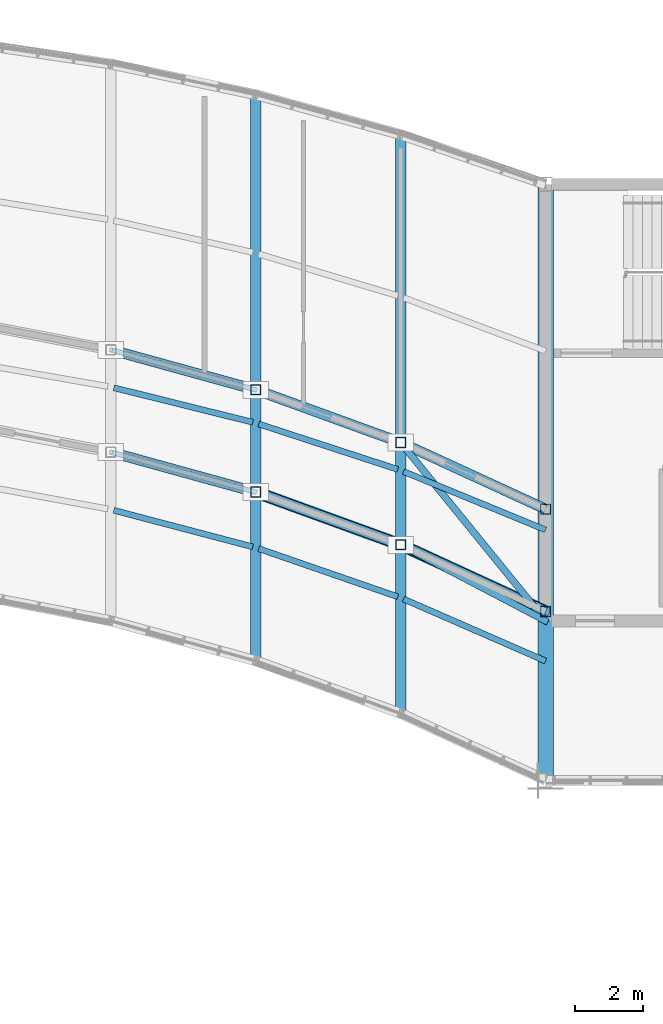
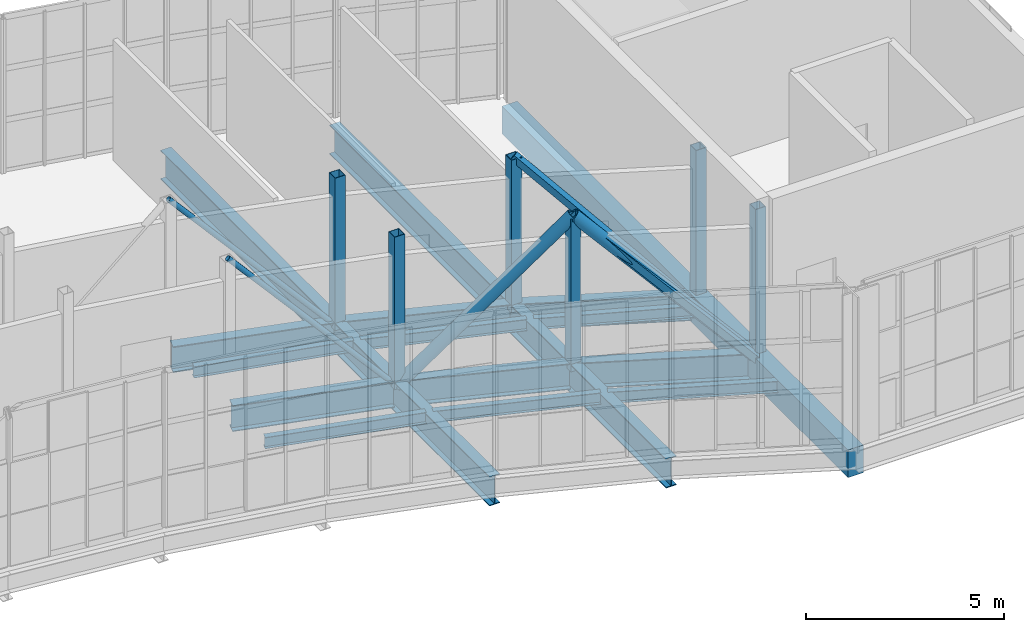
# One storey, part 24 of 46: 15 beams, 12 members.
"""IFC4 building model written with IfcOpenShell, lengths in metres."""

from ifc_helpers import new_model, si_unit, direction, frame, origin, origin_2d, place, context, subcontext, project, spatial, rectangle, hollow_rectangle, hollow_circle, i_section, extrude, material, material_profile, profile_set, type_object, element, save


model = new_model("IFC4")

# Units and contexts
model_context = context("Model", 3, precision=1e-05, world=origin(), true_north=direction((0.0, 1.0)))
body_context = subcontext(model_context, "Body", "Model", "MODEL_VIEW")
ifc_project = project(units=[si_unit("LENGTHUNIT", "METRE"), si_unit("AREAUNIT", "SQUARE_METRE"), si_unit("VOLUMEUNIT", "CUBIC_METRE"), si_unit("PLANEANGLEUNIT", "RADIAN"), si_unit("MASSUNIT", "GRAM", prefix="KILO")], contexts=[model_context])

# Site, building, storey
site_placement = place(None, origin())
site = spatial("IfcSite", under=ifc_project, at=site_placement, CompositionType="ELEMENT")
building_placement = place(site_placement, origin())
building = spatial("IfcBuilding", under=site, at=building_placement, Name="Solvikara Media Centre", CompositionType="ELEMENT")
storey_placement = place(building_placement, frame((0.0, 0.0, 24.60009765625)))
storey = spatial("IfcBuildingStorey", under=building, at=storey_placement, Name="L05", CompositionType="ELEMENT", Elevation=24.60009765625)

# Beams
ifc_material_1 = material(Name="Concrete fc' 35 MPa (C35/45)", Category="concrete")
ifc_material_profile_1 = material_profile(ifc_material_1, rectangle(XDim=0.449951171875, YDim=0.85009765625, at=origin_2d()), Name="RC 450x850")
ifc_profile_set_1 = profile_set([ifc_material_profile_1], Name="Concrete fc' 35 MPa (C35/45)")
beam_type_1 = type_object("IfcBeamType", Name="BM-14", PredefinedType="SPANDREL", material=ifc_profile_set_1)
beam_1_placement = place(storey_placement, frame((127.5, 19.323974609375, -0.64501953125), z_axis=(0.0, 1.0, 0.0), x_axis=(-1.0, 0.0, 0.0)))
element("IfcBeam", 1, at=beam_1_placement, inside=storey, type_object=beam_type_1, Name="B-L05-Y1670", PredefinedType="SPANDREL", context=body_context, shape_type="SweptSolid", body=[
    extrude(rectangle(XDim=0.449951171875, YDim=0.85009765625, at=origin_2d()), origin(), (0.0, 0.0, 1.0), 17.47607421875),
])
ifc_material_2 = material(Name="Steel S355JR", Category="steel")
ifc_material_profile_2 = material_profile(ifc_material_2, i_section(OverallWidth=0.300048828125, OverallDepth=0.89990234375, WebThickness=0.01611328125, FlangeThickness=0.028076171875, at=origin_2d()), Name="WF 900x300x16x28")
ifc_profile_set_2 = profile_set([ifc_material_profile_2], Name="Steel S355JR")
beam_type_2 = type_object("IfcBeamType", Name="BM-15", PredefinedType="BEAM", material=ifc_profile_set_2)
beam_2_placement = place(storey_placement, frame((119.0, 22.823974609375, -0.672119140625), z_axis=(0.0, 1.0, 0.0), x_axis=(-1.0, 0.0, 0.0)))
element("IfcBeam", 2, at=beam_2_placement, inside=storey, type_object=beam_type_2, Name="BG-L05-NS-10", PredefinedType="BEAM", context=body_context, shape_type="SweptSolid", body=[
    extrude(i_section(OverallWidth=0.300048828125, OverallDepth=0.89990234375, WebThickness=0.01611328125, FlangeThickness=0.028076171875, at=origin_2d()), origin(), (0.0, 0.0, 1.0), 16.60693359375),
])
beam_3_placement = place(storey_placement, frame((123.25, 21.279052734375, -0.672119140625), z_axis=(0.0, 1.0, 0.0), x_axis=(-1.0, 0.0, 0.0)))
element("IfcBeam", 3, at=beam_3_placement, inside=storey, type_object=beam_type_2, Name="BG-L05-NS-11", PredefinedType="BEAM", context=body_context, shape_type="SweptSolid", body=[
    extrude(i_section(OverallWidth=0.300048828125, OverallDepth=0.89990234375, WebThickness=0.01611328125, FlangeThickness=0.028076171875, at=origin_2d()), origin(), (0.0, 0.0, 1.0), 16.98095703125),
])
ifc_material_profile_3 = material_profile(ifc_material_2, i_section(OverallWidth=0.300048828125, OverallDepth=0.800048828125, WebThickness=0.013916015625, FlangeThickness=0.02587890625, at=origin_2d()), Name="WF 800x300x14x26")
ifc_profile_set_3 = profile_set([ifc_material_profile_3], Name="Steel S355JR")
beam_type_3 = type_object("IfcBeamType", Name="BM-16", PredefinedType="BEAM", material=ifc_profile_set_3)
for number, where, z_axis, x_axis, name in (
    (4, (114.8369140625, 28.922119140625, -0.6220703125), (0.964019154447, -0.265832785522, 0.0), (0.265832785522, 0.964019154447, 0.0), "B-L05-SPNS-09"),
    (5, (114.8369140625, 31.922119140625, -0.6220703125), (0.964019154447, -0.265832785522, 0.0), (0.265832785522, 0.964019154447, 0.0), "B-L05-SPNN-09"),
):
    element("IfcBeam", number, at=place(storey_placement, frame(where, z_axis=z_axis, x_axis=x_axis)), inside=storey, type_object=beam_type_3, Name=name, PredefinedType="BEAM", context=body_context, shape_type="SweptSolid", body=[
        extrude(i_section(OverallWidth=0.300048828125, OverallDepth=0.800048828125, WebThickness=0.013916015625, FlangeThickness=0.02587890625, at=origin_2d()), origin(), (0.0, 0.0, 1.0), 4.228271484375),
    ])
for number, where, z_axis, x_axis, name in (
    (6, (119.0849609375, 27.742919921875, -0.6220703125), (0.939849238439, -0.341589532927, 0.0), (0.341589532927, 0.939849238439, 0.0), "B-L05-SPNS-10"),
    (7, (119.0849609375, 30.742919921875, -0.6220703125), (0.939849238439, -0.341589532927, 0.0), (0.341589532927, 0.939849238439, 0.0), "B-L05-SPNN-10"),
):
    element("IfcBeam", number, at=place(storey_placement, frame(where, z_axis=z_axis, x_axis=x_axis)), inside=storey, type_object=beam_type_3, Name=name, PredefinedType="BEAM", context=body_context, shape_type="SweptSolid", body=[
        extrude(i_section(OverallWidth=0.300048828125, OverallDepth=0.800048828125, WebThickness=0.013916015625, FlangeThickness=0.02587890625, at=origin_2d()), origin(), (0.0, 0.0, 1.0), 4.34130859375),
    ])
for number, where, z_axis, x_axis, name in (
    (8, (123.33203125, 26.19091796875, -0.6220703125), (0.908513080243, -0.417856414367, 0.0), (0.417856414367, 0.908513080243, 0.0), "B-L05-SPNS-11"),
    (9, (123.33203125, 29.19091796875, -0.6220703125), (0.908513080243, -0.417856414367, 0.0), (0.417856414367, 0.908513080243, 0.0), "B-L05-SPNN-11"),
):
    element("IfcBeam", number, at=place(storey_placement, frame(where, z_axis=z_axis, x_axis=x_axis)), inside=storey, type_object=beam_type_3, Name=name, PredefinedType="BEAM", context=body_context, shape_type="SweptSolid", body=[
        extrude(i_section(OverallWidth=0.300048828125, OverallDepth=0.800048828125, WebThickness=0.013916015625, FlangeThickness=0.02587890625, at=origin_2d()), origin(), (0.0, 0.0, 1.0), 4.587646484375),
    ])
ifc_material_profile_4 = material_profile(ifc_material_2, i_section(OverallWidth=0.175048828125, OverallDepth=0.35009765625, WebThickness=0.007080078125, FlangeThickness=0.010986328125, at=origin_2d()), Name="WF 350x175x7x11")
ifc_profile_set_4 = profile_set([ifc_material_profile_4], Name="Steel S355JR")
beam_type_4 = type_object("IfcBeamType", Name="BM-22", PredefinedType="JOIST", material=ifc_profile_set_4)
beam_4_placement = place(storey_placement, frame((114.8369140625, 27.239990234375, -0.397216796875), z_axis=(0.967112792727, -0.254347884096, 0.0), x_axis=(0.254347884096, 0.967112792727, 0.0)))
element("IfcBeam", 10, at=beam_4_placement, inside=storey, type_object=beam_type_4, Name="BJ-L05-09-20", PredefinedType="JOIST", context=body_context, shape_type="SweptSolid", body=[
    extrude(i_section(OverallWidth=0.175048828125, OverallDepth=0.35009765625, WebThickness=0.007080078125, FlangeThickness=0.010986328125, at=origin_2d()), origin(), (0.0, 0.0, 1.0), 4.21484375),
])
beam_5_placement = place(storey_placement, frame((114.8369140625, 30.833984375, -0.397216796875), z_axis=(0.970483457867, -0.241167696855, 0.0), x_axis=(0.241167696855, 0.970483457867, 0.0)))
element("IfcBeam", 11, at=beam_5_placement, inside=storey, type_object=beam_type_4, Name="BJ-L05-09-42", PredefinedType="JOIST", context=body_context, shape_type="SweptSolid", body=[
    extrude(i_section(OverallWidth=0.175048828125, OverallDepth=0.35009765625, WebThickness=0.007080078125, FlangeThickness=0.010986328125, at=origin_2d()), origin(), (0.0, 0.0, 1.0), 4.2001953125),
])
beam_6_placement = place(storey_placement, frame((119.0849609375, 26.115966796875, -0.397216796875), z_axis=(0.945019683137, -0.327013453063, 0.0), x_axis=(0.327013453063, 0.945019683137, 0.0)))
element("IfcBeam", 12, at=beam_6_placement, inside=storey, type_object=beam_type_4, Name="BJ-L05-10-20", PredefinedType="JOIST", context=body_context, shape_type="SweptSolid", body=[
    extrude(i_section(OverallWidth=0.175048828125, OverallDepth=0.35009765625, WebThickness=0.007080078125, FlangeThickness=0.010986328125, at=origin_2d()), origin(), (0.0, 0.0, 1.0), 4.3173828125),
])
beam_7_placement = place(storey_placement, frame((119.0859375, 29.77099609375, -0.397216796875), z_axis=(0.950578037944, -0.310485738447, 0.0), x_axis=(0.310485738447, 0.950578037944, 0.0)))
element("IfcBeam", 13, at=beam_7_placement, inside=storey, type_object=beam_type_4, Name="BJ-L05-10-42", PredefinedType="JOIST", context=body_context, shape_type="SweptSolid", body=[
    extrude(i_section(OverallWidth=0.175048828125, OverallDepth=0.35009765625, WebThickness=0.007080078125, FlangeThickness=0.010986328125, at=origin_2d()), origin(), (0.0, 0.0, 1.0), 4.2900390625),
])
beam_8_placement = place(storey_placement, frame((123.33203125, 24.638916015625, -0.397216796875), z_axis=(0.916452774581, -0.40014286444, 0.0), x_axis=(0.40014286444, 0.916452774581, 0.0)))
element("IfcBeam", 14, at=beam_8_placement, inside=storey, type_object=beam_type_4, Name="BJ-L05-11-20", PredefinedType="JOIST", context=body_context, shape_type="SweptSolid", body=[
    extrude(i_section(OverallWidth=0.175048828125, OverallDepth=0.35009765625, WebThickness=0.007080078125, FlangeThickness=0.010986328125, at=origin_2d()), origin(), (0.0, 0.0, 1.0), 4.5478515625),
])
beam_9_placement = place(storey_placement, frame((123.3330078125, 28.376953125, -0.397216796875), z_axis=(0.924906874056, -0.380193732621, 0.0), x_axis=(0.380193732621, 0.924906874056, 0.0)))
element("IfcBeam", 15, at=beam_9_placement, inside=storey, type_object=beam_type_4, Name="BJ-L05-11-42", PredefinedType="JOIST", context=body_context, shape_type="SweptSolid", body=[
    extrude(i_section(OverallWidth=0.175048828125, OverallDepth=0.35009765625, WebThickness=0.007080078125, FlangeThickness=0.010986328125, at=origin_2d()), origin(), (0.0, 0.0, 1.0), 4.50537109375),
])

# Members
ifc_material_profile_5 = material_profile(ifc_material_2, hollow_circle(Radius=0.177734375, WallThickness=0.012451171875, at=origin_2d()), Name="CHS 355.6x12.5")
ifc_profile_set_5 = profile_set([ifc_material_profile_5], Name="Steel S355JR")
member_type_1 = type_object("IfcMemberType", Name="MB-01", PredefinedType="CHORD", material=ifc_profile_set_5)
member_1_placement = place(storey_placement, frame((119.0, 27.77392578125, -0.4501953125), z_axis=(0.651605096435, -0.236865639375, 0.720628522321), x_axis=(0.341639024821, 0.939831249065, 0.0)))
element("IfcMember", 16, at=member_1_placement, inside=storey, type_object=member_type_1, Name="WTR-L05-S-DA10", PredefinedType="CHORD", context=body_context, shape_type="SweptSolid", body=[
    extrude(hollow_circle(Radius=0.177734375, WallThickness=0.012451171875, at=origin_2d()), origin(), (0.0, 0.0, 1.0), 6.5224609375),
])
member_2_placement = place(storey_placement, frame((123.25, 26.22900390625, 4.25), z_axis=(0.640881562054, -0.294817299456, -0.708769062079), x_axis=(0.417919391673, 0.908484112169, 0.0)))
element("IfcMember", 17, at=member_2_placement, inside=storey, type_object=member_type_1, Name="WTR-L05-S-DB11", PredefinedType="CHORD", context=body_context, shape_type="SweptSolid", body=[
    extrude(hollow_circle(Radius=0.177734375, WallThickness=0.012451171875, at=origin_2d()), origin(), (0.0, 0.0, 1.0), 6.631591796875),
])
ifc_material_profile_6 = material_profile(ifc_material_2, hollow_rectangle(XDim=0.300048828125, YDim=0.300048828125, WallThickness=0.012451171875, at=origin_2d()), Name="RHS 300x300x12.5")
ifc_profile_set_6 = profile_set([ifc_material_profile_6], Name="Steel S355JR")
member_type_2 = type_object("IfcMemberType", Name="MB-11", PredefinedType="CHORD", material=ifc_profile_set_6)
for number, where, z_axis, x_axis, name in (
    (18, (119.0, 27.77392578125, -0.4501953125), (0.0, 0.0, 1.0), (1.0, 0.0, 0.0), "WTR-L05-S-V10"),
    (19, (123.25, 26.22900390625, -0.4501953125), (0.0, 0.0, 1.0), (1.0, 0.0, 0.0), "WTR-L05-S-V11"),
    (20, (127.5, 24.27392578125, -0.4501953125), (0.0, 0.0, 1.0), (1.0, 0.0, 0.0), "WTR-L05-S-V12"),
    (21, (119.0, 30.77392578125, -0.4501953125), (0.0, 0.0, 1.0), (1.0, 0.0, 0.0), "WTR-L05-N-V10"),
    (22, (123.25, 29.22900390625, -0.4501953125), (0.0, 0.0, 1.0), (1.0, 0.0, 0.0), "WTR-L05-N-V11"),
    (23, (127.5, 27.27392578125, -0.4501953125), (0.0, 0.0, 1.0), (1.0, 0.0, 0.0), "WTR-L05-N-V12"),
):
    element("IfcMember", number, at=place(storey_placement, frame(where, z_axis=z_axis, x_axis=x_axis)), inside=storey, type_object=member_type_2, Name=name, PredefinedType="CHORD", context=body_context, shape_type="SweptSolid", body=[
        extrude(hollow_rectangle(XDim=0.300048828125, YDim=0.300048828125, WallThickness=0.012451171875, at=origin_2d()), origin(), (0.0, 0.0, 1.0), 4.7001953125),
    ])
ifc_material_profile_7 = material_profile(ifc_material_2, hollow_rectangle(XDim=0.199951171875, YDim=0.199951171875, WallThickness=0.008056640625, at=origin_2d()), Name="RHS 200x200x8")
ifc_profile_set_7 = profile_set([ifc_material_profile_7], Name="Steel S355JR")
member_type_3 = type_object("IfcMemberType", Name="MB-13", PredefinedType="BRACE", material=ifc_profile_set_7)
member_3_placement = place(storey_placement, frame((127.5, 24.0, -0.4501953125), z_axis=(-0.632689950862, 0.331827852216, 0.699709727367), x_axis=(-0.464466958116, -0.885590449823, 0.0)))
element("IfcMember", 24, at=member_3_placement, inside=storey, type_object=member_type_3, Name="WTR-L05-S-ANCE", PredefinedType="BRACE", context=body_context, shape_type="SweptSolid", body=[
    extrude(hollow_rectangle(XDim=0.199951171875, YDim=0.199951171875, WallThickness=0.008056640625, at=origin_2d()), origin(), (0.0, 0.0, 1.0), 6.71728515625),
])
member_4_placement = place(storey_placement, frame((127.5, 24.0, -0.4501953125), z_axis=(-0.517305720426, 0.636469090078, 0.572103040535), x_axis=(-0.77600981283, -0.63072083396, 0.0)))
element("IfcMember", 25, at=member_4_placement, inside=storey, type_object=member_type_3, Name="WTR-L05-N-ANCE", PredefinedType="BRACE", context=body_context, shape_type="SweptSolid", body=[
    extrude(hollow_rectangle(XDim=0.199951171875, YDim=0.199951171875, WallThickness=0.008056640625, at=origin_2d()), origin(), (0.0, 0.0, 1.0), 8.215576171875),
])
ifc_material_profile_8 = material_profile(ifc_material_2, hollow_circle(Radius=0.076171875, WallThickness=0.00634765625, at=origin_2d()), Name="CHS 152.4x6.3")
ifc_profile_set_8 = profile_set([ifc_material_profile_8], Name="Steel S355JR")
member_type_4 = type_object("IfcMemberType", Name="MB-29", PredefinedType="BRACE", material=ifc_profile_set_8)
for number, where, z_axis, x_axis, name in (
    (26, (114.75, 28.946044921875, 4.25), (0.659503918401, -0.181886392018, -0.72936405314), (0.265866889221, 0.964009749544, 0.0), "WTR-L05-S-DB09"),
    (27, (114.75, 31.946044921875, 4.25), (0.659503918401, -0.181886392018, -0.72936405314), (0.265866889221, 0.964009749544, 0.0), "WTR-L05-N-DB09"),
):
    element("IfcMember", number, at=place(storey_placement, frame(where, z_axis=z_axis, x_axis=x_axis)), inside=storey, type_object=member_type_4, Name=name, PredefinedType="BRACE", context=body_context, shape_type="SweptSolid", body=[
        extrude(hollow_circle(Radius=0.076171875, WallThickness=0.00634765625, at=origin_2d()), origin(), (0.0, 0.0, 1.0), 6.4443359375),
    ])

save(model, "model.ifc")
